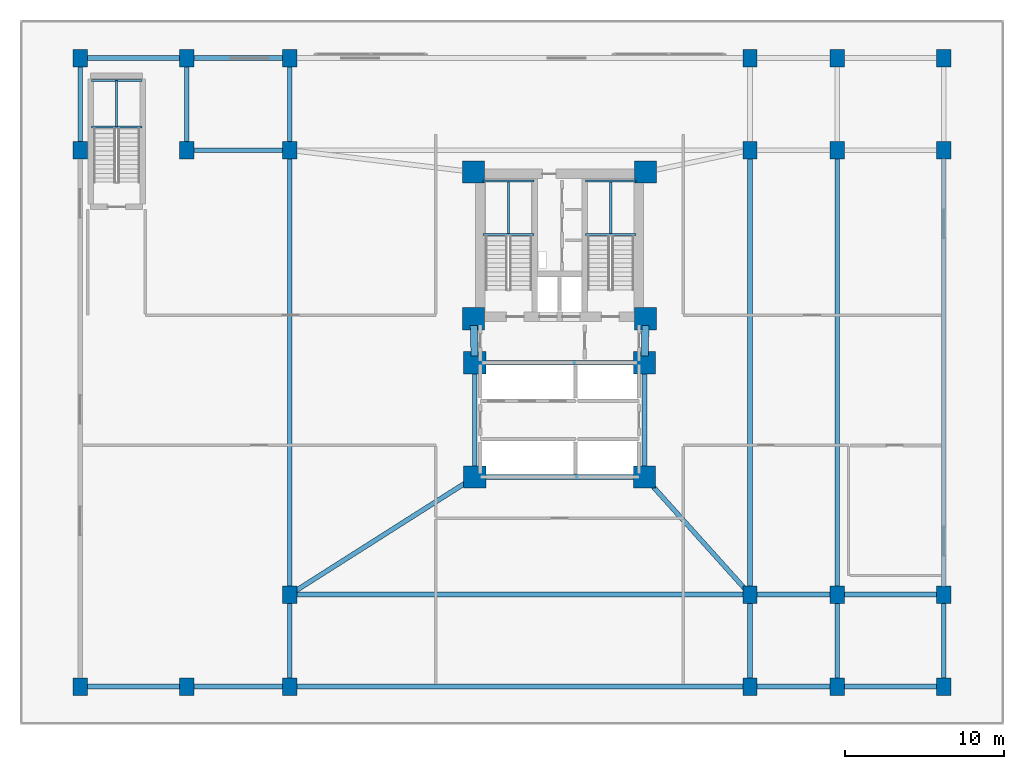
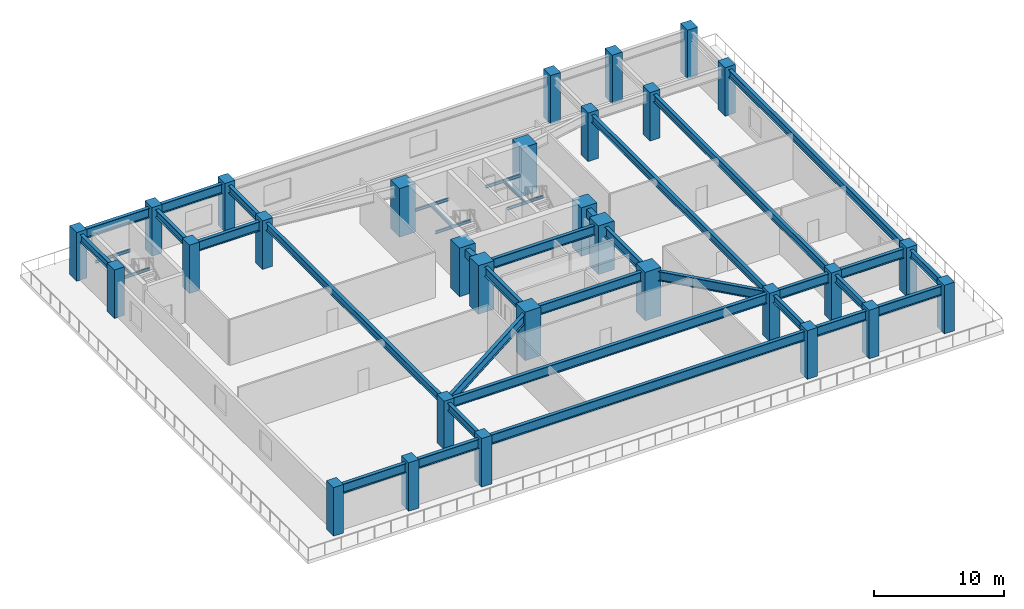
# One storey, part 1 of 10: 39 beams, 30 columns.
"""IFC4 building model written with IfcOpenShell, lengths in metres."""

from ifc_helpers import new_model, si_unit, direction, frame, origin, origin_2d, place, context, subcontext, project, spatial, rectangle, i_section, extrude, material, material_profile, profile_set, type_object, element, save


model = new_model("IFC4")

# Units and contexts
model_context = context("Model", 3, precision=1e-05, world=origin(), true_north=direction((0.0, 1.0)))
body_context = subcontext(model_context, "Body", "Model", "MODEL_VIEW")
ifc_project = project(units=[si_unit("LENGTHUNIT", "METRE"), si_unit("AREAUNIT", "SQUARE_METRE"), si_unit("VOLUMEUNIT", "CUBIC_METRE"), si_unit("PLANEANGLEUNIT", "RADIAN"), si_unit("MASSUNIT", "GRAM", prefix="KILO")], contexts=[model_context])

# Site, building, storey
site_placement = place(None, origin())
site = spatial("IfcSite", under=ifc_project, at=site_placement, CompositionType="ELEMENT")
building_placement = place(site_placement, origin())
building = spatial("IfcBuilding", under=site, at=building_placement, Name="Varnakorn Sky Granary", CompositionType="ELEMENT")
storey_placement = place(building_placement, frame((0.0, 0.0, 13.800048828125)))
storey = spatial("IfcBuildingStorey", under=building, at=storey_placement, Name="L03", CompositionType="ELEMENT", Elevation=13.800048828125)

# Columns
ifc_material_1 = material(Name="Concrete C60/75", Category="concrete")
ifc_material_profile_1 = material_profile(ifc_material_1, rectangle(XDim=1.39990234375, YDim=1.39990234375, at=origin_2d()), Name="RC 1400x1400")
ifc_profile_set_1 = profile_set([ifc_material_profile_1], Name="Concrete C60/75")
column_type_1 = type_object("IfcColumnType", Name="COL-MC-Z0", PredefinedType="COLUMN", material=ifc_profile_set_1)
for number, where, z_axis, x_axis, name in (
    (1, (-2.419921875, 12.6201171875, 0.0), (0.0, 0.0, 1.0), (1.0, 0.0, 0.0), "Backbone Mega-Column MC1 L03"),
    (2, (8.419921875, 12.6201171875, 0.0), (0.0, 0.0, 1.0), (1.0, 0.0, 0.0), "Backbone Mega-Column MC2 L03"),
    (3, (-2.419921875, 3.3798828125, 0.0), (0.0, 0.0, 1.0), (1.0, 0.0, 0.0), "Backbone Mega-Column MC3 L03"),
    (4, (8.419921875, 3.3798828125, 0.0), (0.0, 0.0, 1.0), (1.0, 0.0, 0.0), "Backbone Mega-Column MC4 L03"),
    (5, (-2.35009765625, 0.60009765625, 0.0), (0.0, 0.0, 1.0), (1.0, 0.0, 0.0), "Backbone Mega-Column MC5 L03"),
    (6, (8.35009765625, 0.60009765625, 0.0), (0.0, 0.0, 1.0), (1.0, 0.0, 0.0), "Backbone Mega-Column MC6 L03"),
    (7, (-2.35009765625, -6.60009765625, 0.0), (0.0, 0.0, 1.0), (1.0, 0.0, 0.0), "Backbone Mega-Column MC7 L03"),
    (8, (8.35009765625, -6.60009765625, 0.0), (0.0, 0.0, 1.0), (1.0, 0.0, 0.0), "Backbone Mega-Column MC8 L03"),
):
    element("IfcColumn", number, at=place(storey_placement, frame(where, z_axis=z_axis, x_axis=x_axis)), inside=storey, type_object=column_type_1, Name=name, PredefinedType="COLUMN", context=body_context, shape_type="SweptSolid", body=[
        extrude(rectangle(XDim=1.39990234375, YDim=1.39990234375, at=origin_2d()), origin(), (0.0, 0.0, 1.0), 4.574951171875),
    ])
ifc_material_profile_2 = material_profile(ifc_material_1, rectangle(XDim=0.89990234375, YDim=1.10009765625, at=origin_2d()), Name="RC 900x1100")
ifc_profile_set_2 = profile_set([ifc_material_profile_2], Name="Concrete C60/75")
column_type_2 = type_object("IfcColumnType", Name="COL-POD-1100", PredefinedType="COLUMN", material=ifc_profile_set_2)
for number, where, z_axis, x_axis, name in (
    (9, (-27.199951171875, -19.800048828125, 0.0), (0.0, 0.0, 1.0), (1.0, 0.0, 0.0), "Podium Column P11 L03"),
    (10, (-27.199951171875, 14.0, 0.0), (0.0, 0.0, 1.0), (1.0, 0.0, 0.0), "Podium Column P13 L03"),
    (11, (-27.199951171875, 19.800048828125, 0.0), (0.0, 0.0, 1.0), (1.0, 0.0, 0.0), "Podium Column P14 L03"),
    (12, (-20.5, -19.800048828125, 0.0), (0.0, 0.0, 1.0), (1.0, 0.0, 0.0), "Podium Column P21 L03"),
    (13, (-20.5, 14.0, 0.0), (0.0, 0.0, 1.0), (1.0, 0.0, 0.0), "Podium Column P23 L03"),
    (14, (-20.5, 19.800048828125, 0.0), (0.0, 0.0, 1.0), (1.0, 0.0, 0.0), "Podium Column P24 L03"),
    (15, (-14.0, -19.800048828125, 0.0), (0.0, 0.0, 1.0), (1.0, 0.0, 0.0), "Podium Column P31 L03"),
    (16, (-14.0, -14.0, 0.0), (0.0, 0.0, 1.0), (1.0, 0.0, 0.0), "Podium Column P32 L03"),
    (17, (-14.0, 14.0, 0.0), (0.0, 0.0, 1.0), (1.0, 0.0, 0.0), "Podium Column P33 L03"),
    (18, (-14.0, 19.800048828125, 0.0), (0.0, 0.0, 1.0), (1.0, 0.0, 0.0), "Podium Column P34 L03"),
    (19, (15.0, -19.800048828125, 0.0), (0.0, 0.0, 1.0), (1.0, 0.0, 0.0), "Podium Column P41 L03"),
    (20, (15.0, -14.0, 0.0), (0.0, 0.0, 1.0), (1.0, 0.0, 0.0), "Podium Column P42 L03"),
    (21, (15.0, 14.0, 0.0), (0.0, 0.0, 1.0), (1.0, 0.0, 0.0), "Podium Column P43 L03"),
    (22, (15.0, 19.800048828125, 0.0), (0.0, 0.0, 1.0), (1.0, 0.0, 0.0), "Podium Column P44 L03"),
    (23, (20.5, -19.800048828125, 0.0), (0.0, 0.0, 1.0), (1.0, 0.0, 0.0), "Podium Column P51 L03"),
    (24, (20.5, -14.0, 0.0), (0.0, 0.0, 1.0), (1.0, 0.0, 0.0), "Podium Column P52 L03"),
    (25, (20.5, 14.0, 0.0), (0.0, 0.0, 1.0), (1.0, 0.0, 0.0), "Podium Column P53 L03"),
    (26, (20.5, 19.800048828125, 0.0), (0.0, 0.0, 1.0), (1.0, 0.0, 0.0), "Podium Column P54 L03"),
    (27, (27.199951171875, -19.800048828125, 0.0), (0.0, 0.0, 1.0), (1.0, 0.0, 0.0), "Podium Column P61 L03"),
    (28, (27.199951171875, -14.0, 0.0), (0.0, 0.0, 1.0), (1.0, 0.0, 0.0), "Podium Column P62 L03"),
    (29, (27.199951171875, 14.0, 0.0), (0.0, 0.0, 1.0), (1.0, 0.0, 0.0), "Podium Column P63 L03"),
    (30, (27.199951171875, 19.800048828125, 0.0), (0.0, 0.0, 1.0), (1.0, 0.0, 0.0), "Podium Column P64 L03"),
):
    element("IfcColumn", number, at=place(storey_placement, frame(where, z_axis=z_axis, x_axis=x_axis)), inside=storey, type_object=column_type_2, Name=name, PredefinedType="COLUMN", context=body_context, shape_type="SweptSolid", body=[
        extrude(rectangle(XDim=0.89990234375, YDim=1.10009765625, at=origin_2d()), origin(), (0.0, 0.0, 1.0), 4.574951171875),
    ])

# Beams
ifc_material_profile_3 = material_profile(ifc_material_1, rectangle(XDim=0.449951171875, YDim=0.75, at=origin_2d()), Name="RC 450x750")
ifc_profile_set_3 = profile_set([ifc_material_profile_3], Name="Concrete C60/75")
beam_type_1 = type_object("IfcBeamType", Name="BM-LIN-750", PredefinedType="LINTEL", material=ifc_profile_set_3)
for number, where, z_axis, x_axis, name in (
    (31, (-2.409423828125, 2.960205078125, 3.905029296875), (0.025158763514, -0.999683468213, 0.0), (0.999683468213, 0.025158763514, 0.0), "Core Spine Beam 1 L03"),
    (32, (8.409423828125, 2.960205078125, 3.905029296875), (-0.025158763514, -0.999683468213, 0.0), (0.999683468213, -0.025158763514, 0.0), "Core Spine Beam 2 L03"),
):
    element("IfcBeam", number, at=place(storey_placement, frame(where, z_axis=z_axis, x_axis=x_axis)), inside=storey, type_object=beam_type_1, Name=name, PredefinedType="LINTEL", context=body_context, shape_type="SweptSolid", body=[
        extrude(rectangle(XDim=0.449951171875, YDim=0.75, at=origin_2d()), origin(), (0.0, 0.0, 1.0), 1.94091796875),
    ])
ifc_material_2 = material(Name="Steel S355JR", Category="steel")
ifc_material_profile_4 = material_profile(ifc_material_2, i_section(OverallWidth=0.135009765625, OverallDepth=0.27001953125, WebThickness=0.006591796875, FlangeThickness=0.01025390625, at=origin_2d()), Name="IPE 270")
ifc_profile_set_4 = profile_set([ifc_material_profile_4], Name="Steel S355JR")
beam_type_2 = type_object("IfcBeamType", Name="BM-LND-270", PredefinedType="BEAM", material=ifc_profile_set_4)
for number, where, z_axis, x_axis, name in (
    (33, (-1.820068359375, 8.679931640625, 1.96484375), (1.0, 0.0, 0.0), (0.0, 1.0, 0.0), "Stair ST-1 Landing Trimmer Beam A L03-1"),
    (34, (-1.820068359375, 12.06005859375, 1.96484375), (1.0, 0.0, 0.0), (0.0, 1.0, 0.0), "Stair ST-1 Landing Trimmer Beam B L03-1"),
):
    element("IfcBeam", number, at=place(storey_placement, frame(where, z_axis=z_axis, x_axis=x_axis)), inside=storey, type_object=beam_type_2, Name=name, PredefinedType="BEAM", context=body_context, shape_type="SweptSolid", body=[
        extrude(i_section(OverallWidth=0.135009765625, OverallDepth=0.27001953125, WebThickness=0.006591796875, FlangeThickness=0.01025390625, at=origin_2d()), origin(), (0.0, 0.0, 1.0), 3.199951171875),
    ])
beam_1_placement = place(storey_placement, frame((-0.219970703125, 8.679931640625, 1.96484375), z_axis=(0.0, 1.0, 0.0), x_axis=(-1.0, 0.0, 0.0)))
element("IfcBeam", 35, at=beam_1_placement, inside=storey, type_object=beam_type_2, Name="Stair ST-1 Landing Cross Beam C L03-1", PredefinedType="BEAM", context=body_context, shape_type="SweptSolid", body=[
    extrude(i_section(OverallWidth=0.135009765625, OverallDepth=0.27001953125, WebThickness=0.006591796875, FlangeThickness=0.01025390625, at=origin_2d()), origin(), (0.0, 0.0, 1.0), 3.380126953125),
])
for number, where, z_axis, x_axis, name in (
    (36, (4.6201171875, 8.679931640625, 1.96484375), (1.0, 0.0, 0.0), (0.0, 1.0, 0.0), "Stair ST-2 Landing Trimmer Beam A L03-1"),
    (37, (4.6201171875, 12.06005859375, 1.96484375), (1.0, 0.0, 0.0), (0.0, 1.0, 0.0), "Stair ST-2 Landing Trimmer Beam B L03-1"),
):
    element("IfcBeam", number, at=place(storey_placement, frame(where, z_axis=z_axis, x_axis=x_axis)), inside=storey, type_object=beam_type_2, Name=name, PredefinedType="BEAM", context=body_context, shape_type="SweptSolid", body=[
        extrude(i_section(OverallWidth=0.135009765625, OverallDepth=0.27001953125, WebThickness=0.006591796875, FlangeThickness=0.01025390625, at=origin_2d()), origin(), (0.0, 0.0, 1.0), 3.199951171875),
    ])
beam_2_placement = place(storey_placement, frame((6.219970703125, 8.679931640625, 1.96484375), z_axis=(0.0, 1.0, 0.0), x_axis=(-1.0, 0.0, 0.0)))
element("IfcBeam", 38, at=beam_2_placement, inside=storey, type_object=beam_type_2, Name="Stair ST-2 Landing Cross Beam C L03-1", PredefinedType="BEAM", context=body_context, shape_type="SweptSolid", body=[
    extrude(i_section(OverallWidth=0.135009765625, OverallDepth=0.27001953125, WebThickness=0.006591796875, FlangeThickness=0.01025390625, at=origin_2d()), origin(), (0.0, 0.0, 1.0), 3.380126953125),
])
for number, where, z_axis, x_axis, name in (
    (39, (-26.5, 15.4599609375, 1.96484375), (1.0, 0.0, 0.0), (0.0, 1.0, 0.0), "Stair ST-B3 Landing Trimmer Beam A L03-1"),
    (40, (-26.5, 18.3798828125, 1.96484375), (1.0, 0.0, 0.0), (0.0, 1.0, 0.0), "Stair ST-B3 Landing Trimmer Beam B L03-1"),
):
    element("IfcBeam", number, at=place(storey_placement, frame(where, z_axis=z_axis, x_axis=x_axis)), inside=storey, type_object=beam_type_2, Name=name, PredefinedType="BEAM", context=body_context, shape_type="SweptSolid", body=[
        extrude(i_section(OverallWidth=0.135009765625, OverallDepth=0.27001953125, WebThickness=0.006591796875, FlangeThickness=0.01025390625, at=origin_2d()), origin(), (0.0, 0.0, 1.0), 3.179931640625),
    ])
beam_3_placement = place(storey_placement, frame((-24.909912109375, 15.4599609375, 1.96484375), z_axis=(0.0, 1.0, 0.0), x_axis=(-1.0, 0.0, 0.0)))
element("IfcBeam", 41, at=beam_3_placement, inside=storey, type_object=beam_type_2, Name="Stair ST-B3 Landing Cross Beam C L03-1", PredefinedType="BEAM", context=body_context, shape_type="SweptSolid", body=[
    extrude(i_section(OverallWidth=0.135009765625, OverallDepth=0.27001953125, WebThickness=0.006591796875, FlangeThickness=0.01025390625, at=origin_2d()), origin(), (0.0, 0.0, 1.0), 2.919921875),
])
ifc_material_profile_5 = material_profile(ifc_material_2, i_section(OverallWidth=0.300048828125, OverallDepth=0.699951171875, WebThickness=0.01708984375, FlangeThickness=0.031982421875, at=origin_2d()), Name="HE 700 B")
ifc_profile_set_5 = profile_set([ifc_material_profile_5], Name="Steel S355JR")
beam_type_3 = type_object("IfcBeamType", Name="BM-PG-700", PredefinedType="T_BEAM", material=ifc_profile_set_5)
for number, where, z_axis, x_axis, name in (
    (42, (-27.199951171875, 14.419921875, 3.929931640625), (0.0, 1.0, 0.0), (-1.0, 0.0, 0.0), "Podium Y-Girder GY18 L03"),
    (43, (-20.5, 14.419921875, 3.929931640625), (0.0, 1.0, 0.0), (-1.0, 0.0, 0.0), "Podium Y-Girder GY19 L03"),
    (44, (-14.0, -19.3798828125, 3.929931640625), (0.0, 1.0, 0.0), (-1.0, 0.0, 0.0), "Podium Y-Girder GY20 L03"),
):
    element("IfcBeam", number, at=place(storey_placement, frame(where, z_axis=z_axis, x_axis=x_axis)), inside=storey, type_object=beam_type_3, Name=name, PredefinedType="T_BEAM", context=body_context, shape_type="SweptSolid", body=[
        extrude(i_section(OverallWidth=0.300048828125, OverallDepth=0.699951171875, WebThickness=0.01708984375, FlangeThickness=0.031982421875, at=origin_2d()), origin(), (0.0, 0.0, 1.0), 4.9599609375),
    ])
beam_4_placement = place(storey_placement, frame((-14.0, -13.580078125, 3.929931640625), z_axis=(0.0, 1.0, 0.0), x_axis=(-1.0, 0.0, 0.0)))
element("IfcBeam", 45, at=beam_4_placement, inside=storey, type_object=beam_type_3, Name="Podium Y-Girder GY21 L03", PredefinedType="T_BEAM", context=body_context, shape_type="SweptSolid", body=[
    extrude(i_section(OverallWidth=0.300048828125, OverallDepth=0.699951171875, WebThickness=0.01708984375, FlangeThickness=0.031982421875, at=origin_2d()), origin(), (0.0, 0.0, 1.0), 27.16015625),
])
for number, where, z_axis, x_axis, name in (
    (46, (-14.0, 14.419921875, 3.929931640625), (0.0, 1.0, 0.0), (-1.0, 0.0, 0.0), "Podium Y-Girder GY22 L03"),
    (47, (15.0, -19.3798828125, 3.929931640625), (0.0, 1.0, 0.0), (-1.0, 0.0, 0.0), "Podium Y-Girder GY23 L03"),
):
    element("IfcBeam", number, at=place(storey_placement, frame(where, z_axis=z_axis, x_axis=x_axis)), inside=storey, type_object=beam_type_3, Name=name, PredefinedType="T_BEAM", context=body_context, shape_type="SweptSolid", body=[
        extrude(i_section(OverallWidth=0.300048828125, OverallDepth=0.699951171875, WebThickness=0.01708984375, FlangeThickness=0.031982421875, at=origin_2d()), origin(), (0.0, 0.0, 1.0), 4.9599609375),
    ])
beam_5_placement = place(storey_placement, frame((15.0, -13.580078125, 3.929931640625), z_axis=(0.0, 1.0, 0.0), x_axis=(-1.0, 0.0, 0.0)))
element("IfcBeam", 48, at=beam_5_placement, inside=storey, type_object=beam_type_3, Name="Podium Y-Girder GY24 L03", PredefinedType="T_BEAM", context=body_context, shape_type="SweptSolid", body=[
    extrude(i_section(OverallWidth=0.300048828125, OverallDepth=0.699951171875, WebThickness=0.01708984375, FlangeThickness=0.031982421875, at=origin_2d()), origin(), (0.0, 0.0, 1.0), 27.16015625),
])
beam_6_placement = place(storey_placement, frame((20.5, -19.3798828125, 3.929931640625), z_axis=(0.0, 1.0, 0.0), x_axis=(-1.0, 0.0, 0.0)))
element("IfcBeam", 49, at=beam_6_placement, inside=storey, type_object=beam_type_3, Name="Podium Y-Girder GY26 L03", PredefinedType="T_BEAM", context=body_context, shape_type="SweptSolid", body=[
    extrude(i_section(OverallWidth=0.300048828125, OverallDepth=0.699951171875, WebThickness=0.01708984375, FlangeThickness=0.031982421875, at=origin_2d()), origin(), (0.0, 0.0, 1.0), 4.9599609375),
])
beam_7_placement = place(storey_placement, frame((20.5, -13.580078125, 3.929931640625), z_axis=(0.0, 1.0, 0.0), x_axis=(-1.0, 0.0, 0.0)))
element("IfcBeam", 50, at=beam_7_placement, inside=storey, type_object=beam_type_3, Name="Podium Y-Girder GY27 L03", PredefinedType="T_BEAM", context=body_context, shape_type="SweptSolid", body=[
    extrude(i_section(OverallWidth=0.300048828125, OverallDepth=0.699951171875, WebThickness=0.01708984375, FlangeThickness=0.031982421875, at=origin_2d()), origin(), (0.0, 0.0, 1.0), 27.16015625),
])
beam_8_placement = place(storey_placement, frame((27.199951171875, -19.3798828125, 3.929931640625), z_axis=(0.0, 1.0, 0.0), x_axis=(-1.0, 0.0, 0.0)))
element("IfcBeam", 51, at=beam_8_placement, inside=storey, type_object=beam_type_3, Name="Podium Y-Girder GY29 L03", PredefinedType="T_BEAM", context=body_context, shape_type="SweptSolid", body=[
    extrude(i_section(OverallWidth=0.300048828125, OverallDepth=0.699951171875, WebThickness=0.01708984375, FlangeThickness=0.031982421875, at=origin_2d()), origin(), (0.0, 0.0, 1.0), 4.9599609375),
])
beam_9_placement = place(storey_placement, frame((27.199951171875, -13.580078125, 3.929931640625), z_axis=(0.0, 1.0, 0.0), x_axis=(-1.0, 0.0, 0.0)))
element("IfcBeam", 52, at=beam_9_placement, inside=storey, type_object=beam_type_3, Name="Podium Y-Girder GY30 L03", PredefinedType="T_BEAM", context=body_context, shape_type="SweptSolid", body=[
    extrude(i_section(OverallWidth=0.300048828125, OverallDepth=0.699951171875, WebThickness=0.01708984375, FlangeThickness=0.031982421875, at=origin_2d()), origin(), (0.0, 0.0, 1.0), 27.16015625),
])
ifc_material_profile_6 = material_profile(ifc_material_2, i_section(OverallWidth=0.300048828125, OverallDepth=0.89990234375, WebThickness=0.0185546875, FlangeThickness=0.034912109375, at=origin_2d()), Name="HE 900 B")
ifc_profile_set_6 = profile_set([ifc_material_profile_6], Name="Steel S355JR")
beam_type_4 = type_object("IfcBeamType", Name="BM-PG-900", PredefinedType="BEAM", material=ifc_profile_set_6)
beam_10_placement = place(storey_placement, frame((-26.780029296875, -19.800048828125, 3.829833984375), z_axis=(1.0, 0.0, 0.0), x_axis=(0.0, 1.0, 0.0)))
element("IfcBeam", 53, at=beam_10_placement, inside=storey, type_object=beam_type_4, Name="Podium X-Girder GX01 L03", PredefinedType="BEAM", context=body_context, shape_type="SweptSolid", body=[
    extrude(i_section(OverallWidth=0.300048828125, OverallDepth=0.89990234375, WebThickness=0.0185546875, FlangeThickness=0.034912109375, at=origin_2d()), origin(), (0.0, 0.0, 1.0), 5.860107421875),
])
beam_11_placement = place(storey_placement, frame((-20.080078125, -19.800048828125, 3.829833984375), z_axis=(1.0, 0.0, 0.0), x_axis=(0.0, 1.0, 0.0)))
element("IfcBeam", 54, at=beam_11_placement, inside=storey, type_object=beam_type_4, Name="Podium X-Girder GX02 L03", PredefinedType="BEAM", context=body_context, shape_type="SweptSolid", body=[
    extrude(i_section(OverallWidth=0.300048828125, OverallDepth=0.89990234375, WebThickness=0.0185546875, FlangeThickness=0.034912109375, at=origin_2d()), origin(), (0.0, 0.0, 1.0), 5.66015625),
])
beam_12_placement = place(storey_placement, frame((-13.580078125, -19.800048828125, 3.829833984375), z_axis=(1.0, 0.0, 0.0), x_axis=(0.0, 1.0, 0.0)))
element("IfcBeam", 55, at=beam_12_placement, inside=storey, type_object=beam_type_4, Name="Podium X-Girder GX03 L03", PredefinedType="BEAM", context=body_context, shape_type="SweptSolid", body=[
    extrude(i_section(OverallWidth=0.300048828125, OverallDepth=0.89990234375, WebThickness=0.0185546875, FlangeThickness=0.034912109375, at=origin_2d()), origin(), (0.0, 0.0, 1.0), 28.16015625),
])
beam_13_placement = place(storey_placement, frame((15.419921875, -19.800048828125, 3.829833984375), z_axis=(1.0, 0.0, 0.0), x_axis=(0.0, 1.0, 0.0)))
element("IfcBeam", 56, at=beam_13_placement, inside=storey, type_object=beam_type_4, Name="Podium X-Girder GX04 L03", PredefinedType="BEAM", context=body_context, shape_type="SweptSolid", body=[
    extrude(i_section(OverallWidth=0.300048828125, OverallDepth=0.89990234375, WebThickness=0.0185546875, FlangeThickness=0.034912109375, at=origin_2d()), origin(), (0.0, 0.0, 1.0), 4.66015625),
])
beam_14_placement = place(storey_placement, frame((20.919921875, -19.800048828125, 3.829833984375), z_axis=(1.0, 0.0, 0.0), x_axis=(0.0, 1.0, 0.0)))
element("IfcBeam", 57, at=beam_14_placement, inside=storey, type_object=beam_type_4, Name="Podium X-Girder GX05 L03", PredefinedType="BEAM", context=body_context, shape_type="SweptSolid", body=[
    extrude(i_section(OverallWidth=0.300048828125, OverallDepth=0.89990234375, WebThickness=0.0185546875, FlangeThickness=0.034912109375, at=origin_2d()), origin(), (0.0, 0.0, 1.0), 5.860107421875),
])
beam_15_placement = place(storey_placement, frame((-13.580078125, -14.0, 3.829833984375), z_axis=(1.0, 0.0, 0.0), x_axis=(0.0, 1.0, 0.0)))
element("IfcBeam", 58, at=beam_15_placement, inside=storey, type_object=beam_type_4, Name="Podium X-Girder GX06 L03", PredefinedType="BEAM", context=body_context, shape_type="SweptSolid", body=[
    extrude(i_section(OverallWidth=0.300048828125, OverallDepth=0.89990234375, WebThickness=0.0185546875, FlangeThickness=0.034912109375, at=origin_2d()), origin(), (0.0, 0.0, 1.0), 28.16015625),
])
beam_16_placement = place(storey_placement, frame((15.419921875, -14.0, 3.829833984375), z_axis=(1.0, 0.0, 0.0), x_axis=(0.0, 1.0, 0.0)))
element("IfcBeam", 59, at=beam_16_placement, inside=storey, type_object=beam_type_4, Name="Podium X-Girder GX07 L03", PredefinedType="BEAM", context=body_context, shape_type="SweptSolid", body=[
    extrude(i_section(OverallWidth=0.300048828125, OverallDepth=0.89990234375, WebThickness=0.0185546875, FlangeThickness=0.034912109375, at=origin_2d()), origin(), (0.0, 0.0, 1.0), 4.66015625),
])
beam_17_placement = place(storey_placement, frame((20.919921875, -14.0, 3.829833984375), z_axis=(1.0, 0.0, 0.0), x_axis=(0.0, 1.0, 0.0)))
element("IfcBeam", 60, at=beam_17_placement, inside=storey, type_object=beam_type_4, Name="Podium X-Girder GX08 L03", PredefinedType="BEAM", context=body_context, shape_type="SweptSolid", body=[
    extrude(i_section(OverallWidth=0.300048828125, OverallDepth=0.89990234375, WebThickness=0.0185546875, FlangeThickness=0.034912109375, at=origin_2d()), origin(), (0.0, 0.0, 1.0), 5.860107421875),
])
beam_18_placement = place(storey_placement, frame((-20.080078125, 14.0, 3.829833984375), z_axis=(1.0, 0.0, 0.0), x_axis=(0.0, 1.0, 0.0)))
element("IfcBeam", 61, at=beam_18_placement, inside=storey, type_object=beam_type_4, Name="Podium X-Girder GX09 L03", PredefinedType="BEAM", context=body_context, shape_type="SweptSolid", body=[
    extrude(i_section(OverallWidth=0.300048828125, OverallDepth=0.89990234375, WebThickness=0.0185546875, FlangeThickness=0.034912109375, at=origin_2d()), origin(), (0.0, 0.0, 1.0), 5.66015625),
])
beam_19_placement = place(storey_placement, frame((-26.780029296875, 19.800048828125, 3.829833984375), z_axis=(1.0, 0.0, 0.0), x_axis=(0.0, 1.0, 0.0)))
element("IfcBeam", 62, at=beam_19_placement, inside=storey, type_object=beam_type_4, Name="Podium X-Girder GX13 L03", PredefinedType="BEAM", context=body_context, shape_type="SweptSolid", body=[
    extrude(i_section(OverallWidth=0.300048828125, OverallDepth=0.89990234375, WebThickness=0.0185546875, FlangeThickness=0.034912109375, at=origin_2d()), origin(), (0.0, 0.0, 1.0), 5.860107421875),
])
beam_20_placement = place(storey_placement, frame((-20.080078125, 19.800048828125, 3.829833984375), z_axis=(1.0, 0.0, 0.0), x_axis=(0.0, 1.0, 0.0)))
element("IfcBeam", 63, at=beam_20_placement, inside=storey, type_object=beam_type_4, Name="Podium X-Girder GX14 L03", PredefinedType="BEAM", context=body_context, shape_type="SweptSolid", body=[
    extrude(i_section(OverallWidth=0.300048828125, OverallDepth=0.89990234375, WebThickness=0.0185546875, FlangeThickness=0.034912109375, at=origin_2d()), origin(), (0.0, 0.0, 1.0), 5.66015625),
])
beam_21_placement = place(storey_placement, frame((-13.6455078125, -13.77490234375, 3.829833984375), z_axis=(0.844104836764, 0.536178164933, 0.0), x_axis=(-0.536178164933, 0.844104836764, 0.0)))
element("IfcBeam", 64, at=beam_21_placement, inside=storey, type_object=beam_type_4, Name="Podium Core Tie Girder 2 L03", PredefinedType="BEAM", context=body_context, shape_type="SweptSolid", body=[
    extrude(i_section(OverallWidth=0.300048828125, OverallDepth=0.89990234375, WebThickness=0.0185546875, FlangeThickness=0.034912109375, at=origin_2d()), origin(), (0.0, 0.0, 1.0), 12.961669921875),
])
beam_22_placement = place(storey_placement, frame((14.71923828125, -13.6875, 3.829833984375), z_axis=(-0.668418142949, 0.743785712538, 0.0), x_axis=(-0.743785712538, -0.668418142949, 0.0)))
element("IfcBeam", 65, at=beam_22_placement, inside=storey, type_object=beam_type_4, Name="Podium Core Tie Girder 4 L03", PredefinedType="BEAM", context=body_context, shape_type="SweptSolid", body=[
    extrude(i_section(OverallWidth=0.300048828125, OverallDepth=0.89990234375, WebThickness=0.0185546875, FlangeThickness=0.034912109375, at=origin_2d()), origin(), (0.0, 0.0, 1.0), 9.10888671875),
])
for number, where, z_axis, x_axis, name in (
    (66, (-2.35009765625, 0.179931640625, 3.829833984375), (0.0, -1.0, 0.0), (1.0, 0.0, 0.0), "Core Spine Beam 3 L03"),
    (67, (8.35009765625, 0.179931640625, 3.829833984375), (0.0, -1.0, 0.0), (1.0, 0.0, 0.0), "Core Spine Beam 4 L03"),
):
    element("IfcBeam", number, at=place(storey_placement, frame(where, z_axis=z_axis, x_axis=x_axis)), inside=storey, type_object=beam_type_4, Name=name, PredefinedType="BEAM", context=body_context, shape_type="SweptSolid", body=[
        extrude(i_section(OverallWidth=0.300048828125, OverallDepth=0.89990234375, WebThickness=0.0185546875, FlangeThickness=0.034912109375, at=origin_2d()), origin(), (0.0, 0.0, 1.0), 6.35986328125),
    ])
for number, where, z_axis, x_axis, name in (
    (68, (-1.929931640625, 0.60009765625, 3.829833984375), (1.0, 0.0, 0.0), (0.0, 1.0, 0.0), "Core Spine Beam 5 L03"),
    (69, (-1.929931640625, -6.60009765625, 3.829833984375), (1.0, 0.0, 0.0), (0.0, 1.0, 0.0), "Core Spine Beam 6 L03"),
):
    element("IfcBeam", number, at=place(storey_placement, frame(where, z_axis=z_axis, x_axis=x_axis)), inside=storey, type_object=beam_type_4, Name=name, PredefinedType="BEAM", context=body_context, shape_type="SweptSolid", body=[
        extrude(i_section(OverallWidth=0.300048828125, OverallDepth=0.89990234375, WebThickness=0.0185546875, FlangeThickness=0.034912109375, at=origin_2d()), origin(), (0.0, 0.0, 1.0), 9.85986328125),
    ])

save(model, "model.ifc")
